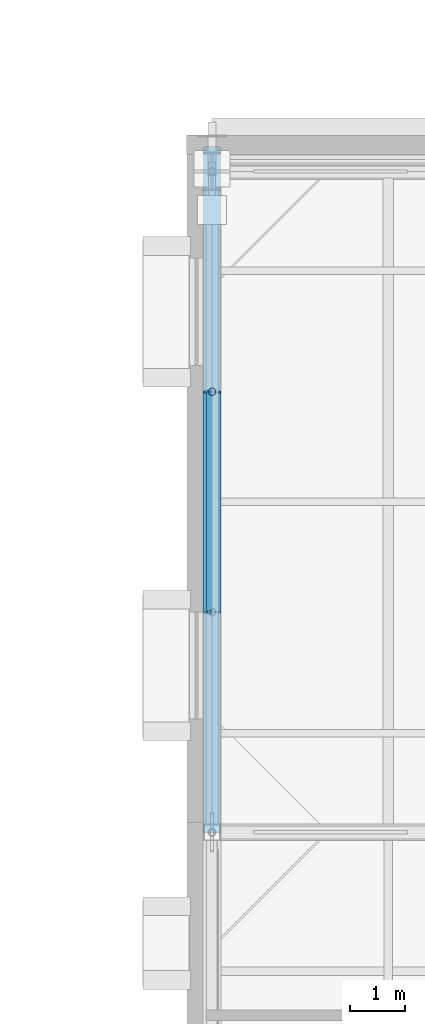
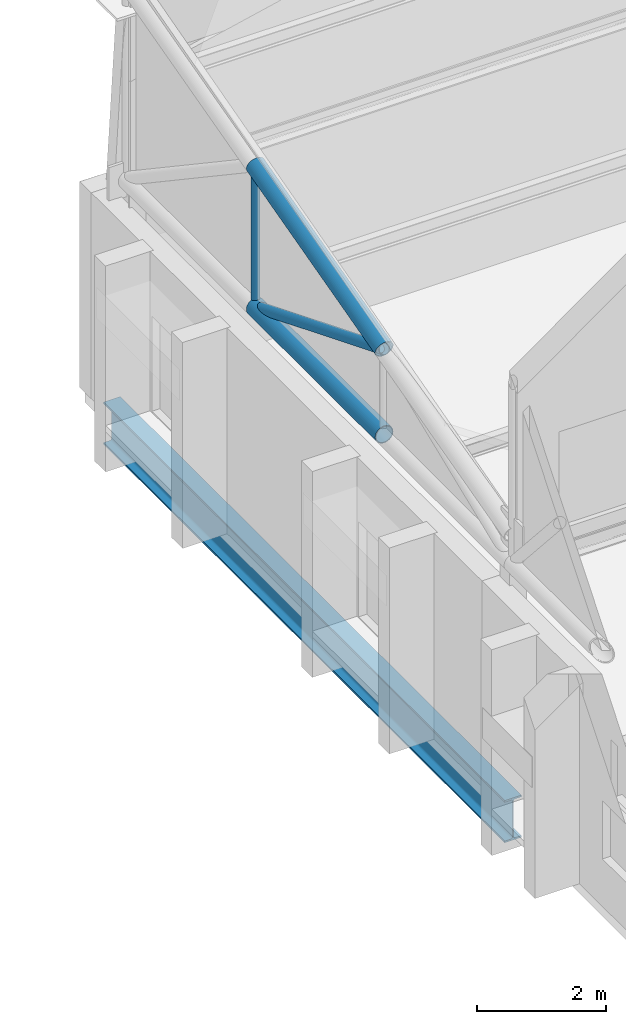
# One storey, part 30 of 89: 4 members, 1 beam.
"""IFC4 building model written with IfcOpenShell, lengths in metres."""

from ifc_helpers import new_model, si_unit, direction, frame, origin, origin_2d, place, context, subcontext, project, spatial, hollow_circle, i_section, extrude, material, material_profile, profile_set, type_object, element, save


model = new_model("IFC4")

# Units and contexts
model_context = context("Model", 3, precision=1e-05, world=origin(), true_north=direction((0.0, 1.0)))
body_context = subcontext(model_context, "Body", "Model", "MODEL_VIEW")
ifc_project = project(units=[si_unit("LENGTHUNIT", "METRE"), si_unit("AREAUNIT", "SQUARE_METRE"), si_unit("VOLUMEUNIT", "CUBIC_METRE"), si_unit("PLANEANGLEUNIT", "RADIAN"), si_unit("MASSUNIT", "GRAM", prefix="KILO")], contexts=[model_context])

# Site, building, storey
site_placement = place(None, origin())
site = spatial("IfcSite", under=ifc_project, at=site_placement, CompositionType="ELEMENT")
building_placement = place(site_placement, origin())
building = spatial("IfcBuilding", under=site, at=building_placement, Name="Zereglee Splitstone Museum", CompositionType="ELEMENT")
storey_placement = place(building_placement, frame((0.0, 0.0, 21.300048828125)))
storey = spatial("IfcBuildingStorey", under=building, at=storey_placement, Name="L04", CompositionType="ELEMENT", Elevation=21.300048828125)

# Members
ifc_material_1 = material(Name="Steel S355J2H", Category="steel")
ifc_material_profile_1 = material_profile(ifc_material_1, hollow_circle(Radius=0.096923828125, WallThickness=0.010009765625, at=origin_2d()), Name="CHS 193.7x10")
ifc_profile_set_1 = profile_set([ifc_material_profile_1], Name="Steel S355J2H")
member_type_1 = type_object("IfcMemberType", Name="TB-04", PredefinedType="BRACE", material=ifc_profile_set_1)
member_1_placement = place(storey_placement, frame((78.0, 46.39990234375, 4.199951171875), z_axis=(0.0, -0.927136001435, 0.374725012299), x_axis=(1.0, 0.0, 0.0)))
element("IfcMember", 1, at=member_1_placement, inside=storey, type_object=member_type_1, Name="Roof Truss ST-01 Diagonal 3.2", PredefinedType="BRACE", context=body_context, shape_type="SweptSolid", body=[
    extrude(hollow_circle(Radius=0.096923828125, WallThickness=0.010009765625, at=origin_2d()), origin(), (0.0, 0.0, 1.0), 4.314453125),
])
ifc_material_profile_2 = material_profile(ifc_material_1, hollow_circle(Radius=0.161865234375, WallThickness=0.01611328125, at=origin_2d()), Name="CHS 323.9x16")
ifc_profile_set_2 = profile_set([ifc_material_profile_2], Name="Steel S355J2H")
member_type_2 = type_object("IfcMemberType", Name="TC-05", PredefinedType="CHORD", material=ifc_profile_set_2)
member_2_placement = place(storey_placement, frame((78.0, 42.39990234375, 4.199951171875), z_axis=(0.0, 1.0, 0.0), x_axis=(-1.0, 0.0, 0.0)))
element("IfcMember", 2, at=member_2_placement, inside=storey, type_object=member_type_2, Name="Roof Truss ST-01 Bottom Chord 3.2", PredefinedType="CHORD", context=body_context, shape_type="SweptSolid", body=[
    extrude(hollow_circle(Radius=0.161865234375, WallThickness=0.01611328125, at=origin_2d()), origin(), (0.0, 0.0, 1.0), 4.0),
])
member_3_placement = place(storey_placement, frame((78.0, 42.39990234375, 5.816650390625), z_axis=(0.0, 0.966235918422, 0.257658979955), x_axis=(-1.0, 0.0, 0.0)))
element("IfcMember", 3, at=member_3_placement, inside=storey, type_object=member_type_2, Name="Roof Truss ST-01 Top Chord 3.2", PredefinedType="CHORD", context=body_context, shape_type="SweptSolid", body=[
    extrude(hollow_circle(Radius=0.161865234375, WallThickness=0.01611328125, at=origin_2d()), origin(), (0.0, 0.0, 1.0), 4.139892578125),
])

# Beam
ifc_material_2 = material(Name="Steel S355J2", Category="steel")
ifc_material_profile_3 = material_profile(ifc_material_2, i_section(OverallWidth=0.300048828125, OverallDepth=0.800048828125, WebThickness=0.017578125, FlangeThickness=0.032958984375, FilletRadius=0.030029296875, at=origin_2d()), Name="HE 800 B")
ifc_profile_set_3 = profile_set([ifc_material_profile_3], Name="Steel S355J2")
beam_type = type_object("IfcBeamType", Name="BG-07", PredefinedType="BEAM", material=ifc_profile_set_3)
beam_placement = place(storey_placement, frame((78.0, 38.39990234375, -0.66015625), z_axis=(0.0, 1.0, 0.0), x_axis=(-1.0, 0.0, 0.0)))
element("IfcBeam", 4, at=beam_placement, inside=storey, type_object=beam_type, Name="Primary Girder L04 10 (38.4-50.9)", PredefinedType="BEAM", context=body_context, shape_type="SweptSolid", body=[
    extrude(i_section(OverallWidth=0.300048828125, OverallDepth=0.800048828125, WebThickness=0.017578125, FlangeThickness=0.032958984375, FilletRadius=0.030029296875, at=origin_2d()), origin(), (0.0, 0.0, 1.0), 12.4501953125),
])

# Member
ifc_material_profile_4 = material_profile(ifc_material_1, hollow_circle(Radius=0.06982421875, WallThickness=0.008056640625, at=origin_2d()), Name="CHS 139.7x8")
ifc_profile_set_4 = profile_set([ifc_material_profile_4], Name="Steel S355J2H")
member_type_3 = type_object("IfcMemberType", Name="TP-03", PredefinedType="POST", material=ifc_profile_set_4)
member_4_placement = place(storey_placement, frame((78.0, 46.39990234375, 4.199951171875), z_axis=(0.0, 0.0, 1.0), x_axis=(1.0, 0.0, 0.0)))
element("IfcMember", 5, at=member_4_placement, inside=storey, type_object=member_type_3, Name="Roof Truss ST-01 Post 3.2", PredefinedType="POST", context=body_context, shape_type="SweptSolid", body=[
    extrude(hollow_circle(Radius=0.06982421875, WallThickness=0.008056640625, at=origin_2d()), origin(), (0.0, 0.0, 1.0), 2.683349609375),
])

save(model, "model.ifc")
